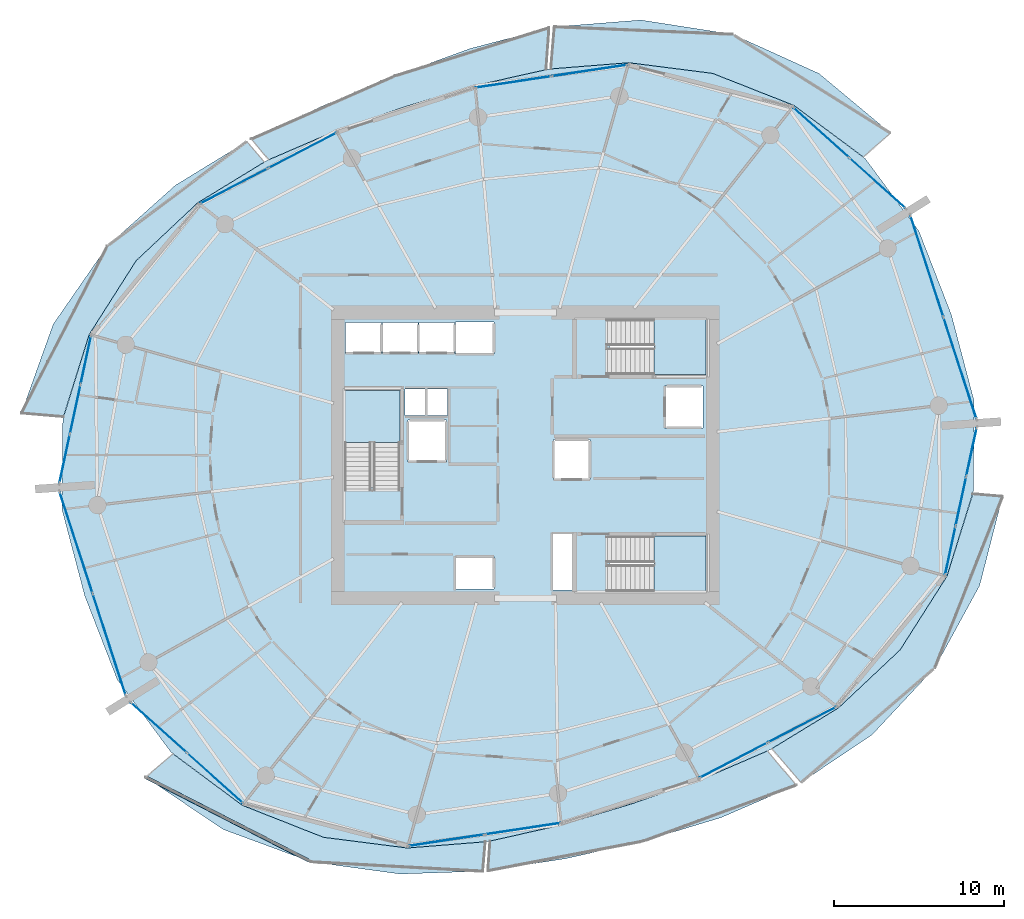
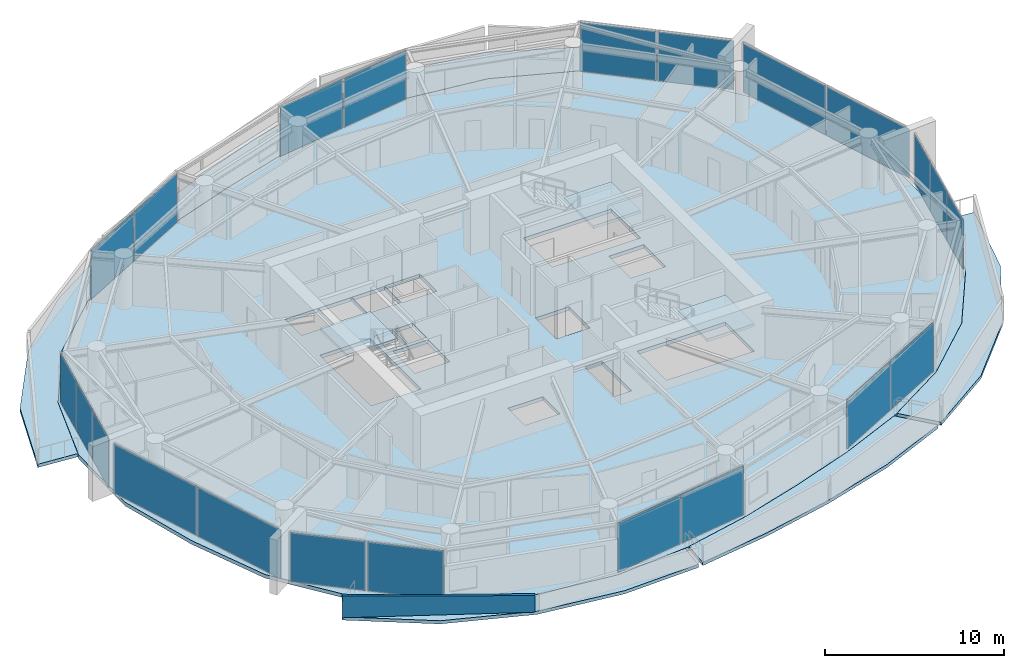
# One storey, part 10 of 20: 22 plates, 10 slabs, 1 wall, 13 elements without a shape of their own.
"""IFC4 building model written with IfcOpenShell, lengths in metres."""

from ifc_helpers import new_model, si_unit, direction, frame, origin, origin_2d, place, context, subcontext, project, spatial, polyline, rectangle, outline, extrude, material, layer, layer_set, type_object, element, aggregate, save


model = new_model("IFC4")

# Units and contexts
model_context = context("Model", 3, precision=1e-05, world=origin(), true_north=direction((0.0, 1.0)))
body_context = subcontext(model_context, "Body", "Model", "MODEL_VIEW")
ifc_project = project(units=[si_unit("LENGTHUNIT", "METRE"), si_unit("AREAUNIT", "SQUARE_METRE"), si_unit("VOLUMEUNIT", "CUBIC_METRE"), si_unit("PLANEANGLEUNIT", "RADIAN"), si_unit("MASSUNIT", "GRAM", prefix="KILO")], contexts=[model_context])

# Site, building, storey
site_placement = place(None, origin())
site = spatial("IfcSite", under=ifc_project, at=site_placement, CompositionType="ELEMENT")
building_placement = place(site_placement, origin())
building = spatial("IfcBuilding", under=site, at=building_placement, Name="Kazma Halo Residences", CompositionType="ELEMENT")
storey_placement = place(building_placement, frame((0.0, 0.0, 131.550048828125)))
storey = spatial("IfcBuildingStorey", under=building, at=storey_placement, Name="L32", CompositionType="ELEMENT", Elevation=131.550048828125)

# Curtain wall, plates
ifc_material_1 = material(Name="Aluminium AW-6063 T6 and Triple-Silver Low-E Glass", Category="aluminium")
ifc_layer_1 = layer(ifc_material_1, 0.219970703125)
ifc_layer_set_1 = layer_set([ifc_layer_1], Name="Aluminium AW-6063 T6 and Triple-Silver Low-E Glass")
curtain_wall_type = type_object("IfcCurtainWallType", Name="CW-SYS-4", PredefinedType="NOTDEFINED", material=ifc_layer_set_1)
curtain_wall_1_placement = place(storey_placement, origin())
curtain_wall_1 = element("IfcCurtainWall", 1, at=curtain_wall_1_placement, inside=storey, type_object=curtain_wall_type, Name="L32 unitised curtain wall B01", PredefinedType="NOTDEFINED")
ifc_material_2 = material(Name="Clear Triple-Silver Low-E Glass IGU", Category="glass")
ifc_layer_2 = layer(ifc_material_2, 0.033935546875)
ifc_layer_set_2 = layer_set([ifc_layer_2], Name="Clear Triple-Silver Low-E Glass IGU")
plate_type = type_object("IfcPlateType", Name="CW-SYS-4-PNL", PredefinedType="CURTAIN_PANEL", material=ifc_layer_set_2)
plate_1_placement = place(storey_placement, frame((69.126708984375, 58.008056640625, 0.074951171875), z_axis=(0.0, 0.0, 1.0), x_axis=(-0.744367582957, 0.667770096247, 0.0)))
plate_1 = element("IfcPlate", 2, at=plate_1_placement, type_object=plate_type, Name="CWS-4 panel 1.1", PredefinedType="CURTAIN_PANEL", context=body_context, shape_type="SweptSolid", body=[
    extrude(rectangle(XDim=4.36279296875, YDim=0.033935546875, at=origin_2d()), origin(), (0.0, 0.0, 1.0), 3.35009765625),
])
plate_2_placement = place(storey_placement, frame((65.823486328125, 60.971435546875, 0.074951171875), z_axis=(0.0, 0.0, 1.0), x_axis=(-0.744367582957, 0.667770096247, 0.0)))
plate_2 = element("IfcPlate", 3, at=plate_2_placement, type_object=plate_type, Name="CWS-4 panel 2.1", PredefinedType="CURTAIN_PANEL", context=body_context, shape_type="SweptSolid", body=[
    extrude(rectangle(XDim=4.36279296875, YDim=0.033935546875, at=origin_2d()), origin(), (0.0, 0.0, 1.0), 3.35009765625),
])
aggregate(curtain_wall_1, [plate_1, plate_2])

curtain_wall_2_placement = place(storey_placement, origin())
curtain_wall_2 = element("IfcCurtainWall", 4, at=curtain_wall_2_placement, inside=storey, type_object=curtain_wall_type, Name="L32 unitised curtain wall B03", PredefinedType="NOTDEFINED")
plate_3_placement = place(storey_placement, frame((52.200439453125, 64.625732421875, 0.074951171875), z_axis=(0.0, 0.0, 1.0), x_axis=(-0.988864148004, -0.148821022686, 0.0)))
plate_3 = element("IfcPlate", 5, at=plate_3_placement, type_object=plate_type, Name="CWS-4 panel 1.1", PredefinedType="CURTAIN_PANEL", context=body_context, shape_type="SweptSolid", body=[
    extrude(rectangle(XDim=4.4560546875, YDim=0.033935546875, at=origin_2d()), origin(), (0.0, 0.0, 1.0), 3.35009765625),
])
plate_4_placement = place(storey_placement, frame((47.7197265625, 63.951416015625, 0.074951171875), z_axis=(0.0, 0.0, 1.0), x_axis=(-0.988864148004, -0.148821022686, 0.0)))
plate_4 = element("IfcPlate", 6, at=plate_4_placement, type_object=plate_type, Name="CWS-4 panel 2.1", PredefinedType="CURTAIN_PANEL", context=body_context, shape_type="SweptSolid", body=[
    extrude(rectangle(XDim=4.4560546875, YDim=0.033935546875, at=origin_2d()), origin(), (0.0, 0.0, 1.0), 3.35009765625),
])
aggregate(curtain_wall_2, [plate_3, plate_4])

curtain_wall_3_placement = place(storey_placement, origin())
curtain_wall_3 = element("IfcCurtainWall", 7, at=curtain_wall_3_placement, inside=storey, type_object=curtain_wall_type, Name="L32 unitised curtain wall B05", PredefinedType="NOTDEFINED")
plate_5_placement = place(storey_placement, frame((35.323974609375, 59.923828125, 0.074951171875), z_axis=(0.0, 0.0, 1.0), x_axis=(-0.887484542306, -0.460837484552, 0.0)))
plate_5 = element("IfcPlate", 8, at=plate_5_placement, type_object=plate_type, Name="CWS-4 panel 1.1", PredefinedType="CURTAIN_PANEL", context=body_context, shape_type="SweptSolid", body=[
    extrude(rectangle(XDim=4.4560546875, YDim=0.033935546875, at=origin_2d()), origin(), (0.0, 0.0, 1.0), 3.35009765625),
])
plate_6_placement = place(storey_placement, frame((31.302734375, 57.835693359375, 0.074951171875), z_axis=(0.0, 0.0, 1.0), x_axis=(-0.887484542306, -0.460837484552, 0.0)))
plate_6 = element("IfcPlate", 9, at=plate_6_placement, type_object=plate_type, Name="CWS-4 panel 2.1", PredefinedType="CURTAIN_PANEL", context=body_context, shape_type="SweptSolid", body=[
    extrude(rectangle(XDim=4.4560546875, YDim=0.033935546875, at=origin_2d()), origin(), (0.0, 0.0, 1.0), 3.35009765625),
])
aggregate(curtain_wall_3, [plate_5, plate_6])

curtain_wall_4_placement = place(storey_placement, origin())
curtain_wall_4 = element("IfcCurtainWall", 10, at=curtain_wall_4_placement, inside=storey, type_object=curtain_wall_type, Name="L32 unitised curtain wall B07", PredefinedType="NOTDEFINED")
plate_7_placement = place(storey_placement, frame((22.5859375, 47.601318359375, 0.074951171875), z_axis=(0.0, 0.0, 1.0), x_axis=(-0.209703809037, -0.977764957684, 0.0)))
plate_7 = element("IfcPlate", 11, at=plate_7_placement, type_object=plate_type, Name="CWS-4 panel 1.1", PredefinedType="CURTAIN_PANEL", context=body_context, shape_type="SweptSolid", body=[
    extrude(rectangle(XDim=2.87109375, YDim=0.033935546875, at=origin_2d()), origin(), (0.0, 0.0, 1.0), 3.35009765625),
])
plate_8_placement = place(storey_placement, frame((21.964111328125, 44.702392578125, 0.074951171875), z_axis=(0.0, 0.0, 1.0), x_axis=(-0.209703809037, -0.977764957684, 0.0)))
plate_8 = element("IfcPlate", 12, at=plate_8_placement, type_object=plate_type, Name="CWS-4 panel 2.1", PredefinedType="CURTAIN_PANEL", context=body_context, shape_type="SweptSolid", body=[
    extrude(rectangle(XDim=2.90869140625, YDim=0.033935546875, at=origin_2d()), origin(), (0.0, 0.0, 1.0), 3.35009765625),
])
plate_9_placement = place(storey_placement, frame((21.34228515625, 41.803466796875, 0.074951171875), z_axis=(0.0, 0.0, 1.0), x_axis=(-0.209703809037, -0.977764957684, 0.0)))
plate_9 = element("IfcPlate", 13, at=plate_9_placement, type_object=plate_type, Name="CWS-4 panel 3.1", PredefinedType="CURTAIN_PANEL", context=body_context, shape_type="SweptSolid", body=[
    extrude(rectangle(XDim=2.87109375, YDim=0.033935546875, at=origin_2d()), origin(), (0.0, 0.0, 1.0), 3.35009765625),
])
aggregate(curtain_wall_4, [plate_7, plate_8, plate_9])

curtain_wall_5_placement = place(storey_placement, origin())
curtain_wall_5 = element("IfcCurtainWall", 14, at=curtain_wall_5_placement, inside=storey, type_object=curtain_wall_type, Name="L32 unitised curtain wall B08", PredefinedType="NOTDEFINED")
plate_10_placement = place(storey_placement, frame((22.017578125, 36.869873046875, 0.074951171875), z_axis=(0.0, 0.0, 1.0), x_axis=(0.3090138203, -0.951057547609, 0.0)))
plate_10 = element("IfcPlate", 15, at=plate_10_placement, type_object=plate_type, Name="CWS-4 panel 1.1", PredefinedType="CURTAIN_PANEL", context=body_context, shape_type="SweptSolid", body=[
    extrude(rectangle(XDim=6.224853515625, YDim=0.033935546875, at=origin_2d()), origin(), (0.0, 0.0, 1.0), 3.35009765625),
])
plate_11_placement = place(storey_placement, frame((23.96435546875, 30.878173828125, 0.074951171875), z_axis=(0.0, 0.0, 1.0), x_axis=(0.3090138203, -0.951057547609, 0.0)))
plate_11 = element("IfcPlate", 16, at=plate_11_placement, type_object=plate_type, Name="CWS-4 panel 2.1", PredefinedType="CURTAIN_PANEL", context=body_context, shape_type="SweptSolid", body=[
    extrude(rectangle(XDim=6.224853515625, YDim=0.033935546875, at=origin_2d()), origin(), (0.0, 0.0, 1.0), 3.35009765625),
])
aggregate(curtain_wall_5, [plate_10, plate_11])

curtain_wall_6_placement = place(storey_placement, origin())
curtain_wall_6 = element("IfcCurtainWall", 17, at=curtain_wall_6_placement, inside=storey, type_object=curtain_wall_type, Name="L32 unitised curtain wall B09", PredefinedType="NOTDEFINED")
plate_12_placement = place(storey_placement, frame((26.873291015625, 25.991943359375, 0.074951171875), z_axis=(0.0, 0.0, 1.0), x_axis=(0.744367582957, -0.667770096247, 0.0)))
plate_12 = element("IfcPlate", 18, at=plate_12_placement, type_object=plate_type, Name="CWS-4 panel 1.1", PredefinedType="CURTAIN_PANEL", context=body_context, shape_type="SweptSolid", body=[
    extrude(rectangle(XDim=4.36279296875, YDim=0.033935546875, at=origin_2d()), origin(), (0.0, 0.0, 1.0), 3.35009765625),
])
plate_13_placement = place(storey_placement, frame((30.176513671875, 23.028564453125, 0.074951171875), z_axis=(0.0, 0.0, 1.0), x_axis=(0.744367582957, -0.667770096247, 0.0)))
plate_13 = element("IfcPlate", 19, at=plate_13_placement, type_object=plate_type, Name="CWS-4 panel 2.1", PredefinedType="CURTAIN_PANEL", context=body_context, shape_type="SweptSolid", body=[
    extrude(rectangle(XDim=4.36279296875, YDim=0.033935546875, at=origin_2d()), origin(), (0.0, 0.0, 1.0), 3.35009765625),
])
aggregate(curtain_wall_6, [plate_12, plate_13])

curtain_wall_7_placement = place(storey_placement, origin())
curtain_wall_7 = element("IfcCurtainWall", 20, at=curtain_wall_7_placement, inside=storey, type_object=curtain_wall_type, Name="L32 unitised curtain wall B11", PredefinedType="NOTDEFINED")
plate_14_placement = place(storey_placement, frame((43.799560546875, 19.374267578125, 0.074951171875), z_axis=(0.0, 0.0, 1.0), x_axis=(0.988864148004, 0.148821022686, 0.0)))
plate_14 = element("IfcPlate", 21, at=plate_14_placement, type_object=plate_type, Name="CWS-4 panel 1.1", PredefinedType="CURTAIN_PANEL", context=body_context, shape_type="SweptSolid", body=[
    extrude(rectangle(XDim=4.4560546875, YDim=0.033935546875, at=origin_2d()), origin(), (0.0, 0.0, 1.0), 3.35009765625),
])
plate_15_placement = place(storey_placement, frame((48.2802734375, 20.048583984375, 0.074951171875), z_axis=(0.0, 0.0, 1.0), x_axis=(0.988864148004, 0.148821022686, 0.0)))
plate_15 = element("IfcPlate", 22, at=plate_15_placement, type_object=plate_type, Name="CWS-4 panel 2.1", PredefinedType="CURTAIN_PANEL", context=body_context, shape_type="SweptSolid", body=[
    extrude(rectangle(XDim=4.4560546875, YDim=0.033935546875, at=origin_2d()), origin(), (0.0, 0.0, 1.0), 3.35009765625),
])
aggregate(curtain_wall_7, [plate_14, plate_15])

curtain_wall_8_placement = place(storey_placement, origin())
curtain_wall_8 = element("IfcCurtainWall", 23, at=curtain_wall_8_placement, inside=storey, type_object=curtain_wall_type, Name="L32 unitised curtain wall B13", PredefinedType="NOTDEFINED")
plate_16_placement = place(storey_placement, frame((60.676025390625, 24.076171875, 0.074951171875), z_axis=(0.0, 0.0, 1.0), x_axis=(0.887484542306, 0.460837484552, 0.0)))
plate_16 = element("IfcPlate", 24, at=plate_16_placement, type_object=plate_type, Name="CWS-4 panel 1.1", PredefinedType="CURTAIN_PANEL", context=body_context, shape_type="SweptSolid", body=[
    extrude(rectangle(XDim=4.4560546875, YDim=0.033935546875, at=origin_2d()), origin(), (0.0, 0.0, 1.0), 3.35009765625),
])
plate_17_placement = place(storey_placement, frame((64.697265625, 26.164306640625, 0.074951171875), z_axis=(0.0, 0.0, 1.0), x_axis=(0.887484542306, 0.460837484552, 0.0)))
plate_17 = element("IfcPlate", 25, at=plate_17_placement, type_object=plate_type, Name="CWS-4 panel 2.1", PredefinedType="CURTAIN_PANEL", context=body_context, shape_type="SweptSolid", body=[
    extrude(rectangle(XDim=4.4560546875, YDim=0.033935546875, at=origin_2d()), origin(), (0.0, 0.0, 1.0), 3.35009765625),
])
aggregate(curtain_wall_8, [plate_16, plate_17])

curtain_wall_9_placement = place(storey_placement, origin())
curtain_wall_9 = element("IfcCurtainWall", 26, at=curtain_wall_9_placement, inside=storey, type_object=curtain_wall_type, Name="L32 unitised curtain wall B15", PredefinedType="NOTDEFINED")
plate_18_placement = place(storey_placement, frame((73.4140625, 36.398681640625, 0.074951171875), z_axis=(0.0, 0.0, 1.0), x_axis=(0.209703809037, 0.977764957684, 0.0)))
plate_18 = element("IfcPlate", 27, at=plate_18_placement, type_object=plate_type, Name="CWS-4 panel 1.1", PredefinedType="CURTAIN_PANEL", context=body_context, shape_type="SweptSolid", body=[
    extrude(rectangle(XDim=2.87109375, YDim=0.033935546875, at=origin_2d()), origin(), (0.0, 0.0, 1.0), 3.35009765625),
])
plate_19_placement = place(storey_placement, frame((74.035888671875, 39.297607421875, 0.074951171875), z_axis=(0.0, 0.0, 1.0), x_axis=(0.209703809037, 0.977764957684, 0.0)))
plate_19 = element("IfcPlate", 28, at=plate_19_placement, type_object=plate_type, Name="CWS-4 panel 2.1", PredefinedType="CURTAIN_PANEL", context=body_context, shape_type="SweptSolid", body=[
    extrude(rectangle(XDim=2.90869140625, YDim=0.033935546875, at=origin_2d()), origin(), (0.0, 0.0, 1.0), 3.35009765625),
])
plate_20_placement = place(storey_placement, frame((74.65771484375, 42.196533203125, 0.074951171875), z_axis=(0.0, 0.0, 1.0), x_axis=(0.209703809037, 0.977764957684, 0.0)))
plate_20 = element("IfcPlate", 29, at=plate_20_placement, type_object=plate_type, Name="CWS-4 panel 3.1", PredefinedType="CURTAIN_PANEL", context=body_context, shape_type="SweptSolid", body=[
    extrude(rectangle(XDim=2.87109375, YDim=0.033935546875, at=origin_2d()), origin(), (0.0, 0.0, 1.0), 3.35009765625),
])
aggregate(curtain_wall_9, [plate_18, plate_19, plate_20])

curtain_wall_10_placement = place(storey_placement, origin())
curtain_wall_10 = element("IfcCurtainWall", 30, at=curtain_wall_10_placement, inside=storey, type_object=curtain_wall_type, Name="L32 unitised curtain wall B16", PredefinedType="NOTDEFINED")
plate_21_placement = place(storey_placement, frame((73.982421875, 47.130126953125, 0.074951171875), z_axis=(0.0, 0.0, 1.0), x_axis=(-0.3090138203, 0.951057547609, 0.0)))
plate_21 = element("IfcPlate", 31, at=plate_21_placement, type_object=plate_type, Name="CWS-4 panel 1.1", PredefinedType="CURTAIN_PANEL", context=body_context, shape_type="SweptSolid", body=[
    extrude(rectangle(XDim=6.224853515625, YDim=0.033935546875, at=origin_2d()), origin(), (0.0, 0.0, 1.0), 3.35009765625),
])
plate_22_placement = place(storey_placement, frame((72.03564453125, 53.121826171875, 0.074951171875), z_axis=(0.0, 0.0, 1.0), x_axis=(-0.3090138203, 0.951057547609, 0.0)))
plate_22 = element("IfcPlate", 32, at=plate_22_placement, type_object=plate_type, Name="CWS-4 panel 2.1", PredefinedType="CURTAIN_PANEL", context=body_context, shape_type="SweptSolid", body=[
    extrude(rectangle(XDim=6.224853515625, YDim=0.033935546875, at=origin_2d()), origin(), (0.0, 0.0, 1.0), 3.35009765625),
])
aggregate(curtain_wall_10, [plate_21, plate_22])

# Slabs
ifc_material_3 = material(Name="White Concrete C50/60", Category="concrete")
ifc_layer_3 = layer(ifc_material_3, 0.219970703125)
ifc_layer_set_3 = layer_set([ifc_layer_3], Name="White Concrete C50/60")
slab_type_1 = type_object("IfcSlabType", Name="SLB-BAL-WAVE-210", PredefinedType="FLOOR", material=ifc_layer_set_3)
slab_1_placement = place(storey_placement, frame((0.0, 0.0, -0.219970703125)))
element("IfcSlab", 33, at=slab_1_placement, inside=storey, type_object=slab_type_1, Name="L32 NE cantilevered wave balcony slab", PredefinedType="FLOOR", context=body_context, shape_type="SweptSolid", body=[
    extrude(outline(polyline([(68.294677734375, 59.548583984375), (64.21923828125, 62.573974609375), (59.442626953125, 64.45751953125), (54.510986328125, 65.0859375), (49.927978515625, 64.720458984375), (50.1376953125, 67.19482421875), (55.21875, 67.595947265625), (60.61328125, 66.7548828125), (65.697021484375, 64.448486328125), (69.904052734375, 60.9404296875), (68.294677734375, 59.548583984375)])), origin(), (0.0, 0.0, 1.0), 0.219970703125),
])
slab_2_placement = place(storey_placement, frame((0.0, 0.0, -0.219970703125)))
element("IfcSlab", 34, at=slab_2_placement, inside=storey, type_object=slab_type_1, Name="L32 NNW cantilevered wave balcony slab", PredefinedType="FLOOR", context=body_context, shape_type="SweptSolid", body=[
    extrude(outline(polyline([(49.6455078125, 64.67822265625), (45.427978515625, 63.72998046875), (41.3408203125, 62.494873046875), (37.30810546875, 61.091552734375), (33.3388671875, 59.3798828125), (32.317138671875, 60.591064453125), (36.494384765625, 62.544921875), (40.75390625, 64.30078125), (45.169677734375, 65.9140625), (49.823974609375, 67.13720703125), (49.6455078125, 64.67822265625)])), origin(), (0.0, 0.0, 1.0), 0.219970703125),
])
slab_3_placement = place(storey_placement, frame((0.0, 0.0, -0.219970703125)))
element("IfcSlab", 35, at=slab_3_placement, inside=storey, type_object=slab_type_1, Name="L32 NW cantilevered wave balcony slab", PredefinedType="FLOOR", context=body_context, shape_type="SweptSolid", body=[
    extrude(outline(polyline([(33.08544921875, 59.248046875), (29.1630859375, 56.849853515625), (25.54248046875, 53.442626953125), (22.78515625, 49.111328125), (21.2666015625, 44.268310546875), (18.79638671875, 44.47802734375), (20.668212890625, 49.708251953125), (23.8505859375, 54.3046875), (27.85498046875, 57.881103515625), (32.04638671875, 60.449951171875), (33.08544921875, 59.248046875)])), origin(), (0.0, 0.0, 1.0), 0.219970703125),
])
slab_4_placement = place(storey_placement, frame((0.0, 0.0, -0.219970703125)))
element("IfcSlab", 36, at=slab_4_placement, inside=storey, type_object=slab_type_1, Name="L32 SW cantilevered wave balcony slab", PredefinedType="FLOOR", context=body_context, shape_type="SweptSolid", body=[
    extrude(outline(polyline([(27.705322265625, 24.451416015625), (31.78076171875, 21.426025390625), (36.557373046875, 19.54248046875), (41.489013671875, 18.9140625), (46.072021484375, 19.279541015625), (45.925537109375, 17.55126953125), (41.05810546875, 17.3857421875), (35.822998046875, 18.101318359375), (30.66064453125, 20.005126953125), (26.1103515625, 23.072021484375), (27.705322265625, 24.451416015625)])), origin(), (0.0, 0.0, 1.0), 0.219970703125),
])
slab_5_placement = place(storey_placement, frame((0.0, 0.0, -0.219970703125)))
element("IfcSlab", 37, at=slab_5_placement, inside=storey, type_object=slab_type_1, Name="L32 SSE cantilevered wave balcony slab", PredefinedType="FLOOR", context=body_context, shape_type="SweptSolid", body=[
    extrude(outline(polyline([(46.3544921875, 19.32177734375), (50.572021484375, 20.27001953125), (54.6591796875, 21.505126953125), (58.69189453125, 22.908447265625), (62.6611328125, 24.6201171875), (64.353271484375, 22.6142578125), (59.92822265625, 20.70068359375), (55.368896484375, 19.320556640625), (50.806640625, 18.287353515625), (46.228271484375, 17.582763671875), (46.3544921875, 19.32177734375)])), origin(), (0.0, 0.0, 1.0), 0.219970703125),
])
slab_6_placement = place(storey_placement, frame((0.0, 0.0, -0.219970703125)))
element("IfcSlab", 38, at=slab_6_placement, inside=storey, type_object=slab_type_1, Name="L32 SE cantilevered wave balcony slab", PredefinedType="FLOOR", context=body_context, shape_type="SweptSolid", body=[
    extrude(outline(polyline([(62.91455078125, 24.751953125), (66.8369140625, 27.150146484375), (70.45751953125, 30.557373046875), (73.21484375, 34.888671875), (74.7333984375, 39.731689453125), (76.484619140625, 39.5830078125), (75.136474609375, 34.3466796875), (72.50390625, 29.5146484375), (68.82421875, 25.58349609375), (64.6337890625, 22.763427734375), (62.91455078125, 24.751953125)])), origin(), (0.0, 0.0, 1.0), 0.219970703125),
])
ifc_material_4 = material(Name="Concrete C50/60", Category="concrete")
ifc_layer_4 = layer(ifc_material_4, 0.25)
ifc_layer_set_4 = layer_set([ifc_layer_4], Name="Concrete C50/60")
slab_type_2 = type_object("IfcSlabType", Name="SLB-RES-250", PredefinedType="FLOOR", material=ifc_layer_set_4)
slab_7_placement = place(storey_placement, frame((0.0, 0.0, -0.25)))
element("IfcSlab", 39, at=slab_7_placement, inside=storey, type_object=slab_type_2, Name="L32 structural floor slab", PredefinedType="FLOOR", context=body_context, shape_type="SweptSolid", body=[
    extrude(outline(polyline([(73.47265625, 50.276611328125), (71.56201171875, 55.1953125), (68.41796875, 59.438720703125), (64.218017578125, 62.572509765625), (59.441650390625, 64.45556640625), (54.510498046875, 65.083984375), (49.787109375, 64.706298828125), (45.42822265625, 63.727783203125), (41.341552734375, 62.492919921875), (37.30908203125, 61.08984375), (33.2080078125, 59.3193359375), (29.16455078125, 56.8486328125), (25.54443359375, 53.441650390625), (22.787109375, 49.110595703125), (21.2314453125, 44.106689453125), (21.181884765625, 38.825927734375), (22.52734375, 33.723388671875), (24.43798828125, 28.8046875), (27.58203125, 24.561279296875), (31.781982421875, 21.427490234375), (36.558349609375, 19.54443359375), (41.489501953125, 18.916015625), (46.212890625, 19.293701171875), (50.57177734375, 20.272216796875), (54.658447265625, 21.507080078125), (58.69091796875, 22.91015625), (62.7919921875, 24.6806640625), (66.83544921875, 27.1513671875), (70.45556640625, 30.558349609375), (73.212890625, 34.889404296875), (74.7685546875, 39.893310546875), (74.818115234375, 45.174072265625), (73.47265625, 50.276611328125)]), holes=[polyline([(37.800048828125, 40.110107421875), (41.050048828125, 40.110107421875), (41.050048828125, 45.800048828125), (37.800048828125, 45.800048828125), (37.800048828125, 40.110107421875)]), polyline([(53.360107421875, 46.75), (59.050048828125, 46.75), (59.050048828125, 50.0), (53.360107421875, 50.0), (53.360107421875, 46.75)]), polyline([(53.360107421875, 34.0), (59.050048828125, 34.0), (59.050048828125, 37.25), (53.360107421875, 37.25), (53.360107421875, 34.0)]), polyline([(41.52001953125, 41.6201171875), (43.780029296875, 41.6201171875), (43.780029296875, 44.080078125), (41.52001953125, 44.080078125), (41.52001953125, 41.6201171875)]), polyline([(56.6201171875, 43.6201171875), (58.8798828125, 43.6201171875), (58.8798828125, 46.080078125), (56.6201171875, 46.080078125), (56.6201171875, 43.6201171875)]), polyline([(37.864990234375, 47.9951171875), (39.97509765625, 47.9951171875), (39.97509765625, 49.804931640625), (37.864990234375, 49.804931640625), (37.864990234375, 47.9951171875)]), polyline([(40.014892578125, 47.9951171875), (42.125, 47.9951171875), (42.125, 49.804931640625), (40.014892578125, 49.804931640625), (40.014892578125, 47.9951171875)]), polyline([(42.1650390625, 47.9951171875), (44.27490234375, 47.9951171875), (44.27490234375, 49.804931640625), (42.1650390625, 49.804931640625), (42.1650390625, 47.9951171875)]), polyline([(44.320068359375, 47.945068359375), (46.580078125, 47.945068359375), (46.580078125, 49.85498046875), (44.320068359375, 49.85498046875), (44.320068359375, 47.945068359375)]), polyline([(44.320068359375, 34.14501953125), (46.580078125, 34.14501953125), (46.580078125, 36.054931640625), (44.320068359375, 36.054931640625), (44.320068359375, 34.14501953125)]), polyline([(50.070068359375, 40.570068359375), (52.22998046875, 40.570068359375), (52.22998046875, 42.929931640625), (50.070068359375, 42.929931640625), (50.070068359375, 40.570068359375)]), polyline([(41.360107421875, 44.340087890625), (42.5400390625, 44.340087890625), (42.5400390625, 45.89990234375), (41.360107421875, 45.89990234375), (41.360107421875, 44.340087890625)]), polyline([(42.659912109375, 44.340087890625), (43.840087890625, 44.340087890625), (43.840087890625, 45.89990234375), (42.659912109375, 45.89990234375), (42.659912109375, 44.340087890625)]), polyline([(50.06005859375, 34.080078125), (51.159912109375, 34.080078125), (51.159912109375, 37.3798828125), (50.06005859375, 37.3798828125), (50.06005859375, 34.080078125)])]), origin(), (0.0, 0.0, 1.0), 0.25),
])

# Stair, slab
stair_type = type_object("IfcStairType", Name="STR-RES1", PredefinedType="HALF_TURN_STAIR", material=ifc_material_4)
stair_1_placement = place(storey_placement, origin())
stair_1 = element("IfcStair", 40, at=stair_1_placement, inside=storey, type_object=stair_type, Name="L32 Core exit stair ST-01", PredefinedType="HALF_TURN_STAIR")
ifc_layer_5 = layer(ifc_material_4, 0.199951171875)
ifc_layer_set_5 = layer_set([ifc_layer_5], Name="Concrete C50/60")
slab_type_3 = type_object("IfcSlabType", Name="SLB-STAIR-LND-200", PredefinedType="LANDING", material=ifc_layer_set_5)
slab_8_placement = place(storey_placement, frame((0.0, 0.0, 1.675048828125)))
slab_8 = element("IfcSlab", 41, at=slab_8_placement, type_object=slab_type_3, Name="ST-01 landing 1", PredefinedType="LANDING", context=body_context, shape_type="SweptSolid", body=[
    extrude(outline(polyline([(41.050048828125, 42.75), (41.050048828125, 45.800048828125), (37.800048828125, 45.800048828125), (37.800048828125, 42.75), (41.050048828125, 42.75)])), origin(), (0.0, 0.0, 1.0), 0.199951171875),
])
aggregate(stair_1, [slab_8])

stair_2_placement = place(storey_placement, origin())
stair_2 = element("IfcStair", 42, at=stair_2_placement, inside=storey, type_object=stair_type, Name="L32 Core exit stair ST-02", PredefinedType="HALF_TURN_STAIR")
slab_9_placement = place(storey_placement, frame((0.0, 0.0, 1.675048828125)))
slab_9 = element("IfcSlab", 43, at=slab_9_placement, type_object=slab_type_3, Name="ST-02 landing 1", PredefinedType="LANDING", context=body_context, shape_type="SweptSolid", body=[
    extrude(outline(polyline([(56.0, 46.75), (59.050048828125, 46.75), (59.050048828125, 50.0), (56.0, 50.0), (56.0, 46.75)])), origin(), (0.0, 0.0, 1.0), 0.199951171875),
])
aggregate(stair_2, [slab_9])

stair_3_placement = place(storey_placement, origin())
stair_3 = element("IfcStair", 44, at=stair_3_placement, inside=storey, type_object=stair_type, Name="L32 Core exit stair ST-03", PredefinedType="HALF_TURN_STAIR")
slab_10_placement = place(storey_placement, frame((0.0, 0.0, 1.675048828125)))
slab_10 = element("IfcSlab", 45, at=slab_10_placement, type_object=slab_type_3, Name="ST-03 landing 1", PredefinedType="LANDING", context=body_context, shape_type="SweptSolid", body=[
    extrude(outline(polyline([(56.0, 34.0), (59.050048828125, 34.0), (59.050048828125, 37.25), (56.0, 37.25), (56.0, 34.0)])), origin(), (0.0, 0.0, 1.0), 0.199951171875),
])
aggregate(stair_3, [slab_10])

# Wall
ifc_material_5 = material(Name="White Concrete C50/60 Balustrade", Category="concrete")
ifc_layer_6 = layer(ifc_material_5, 0.179931640625)
ifc_layer_set_6 = layer_set([ifc_layer_6], Name="White Concrete C50/60 Balustrade")
wall_type = type_object("IfcWallType", Name="WL-BAL-WAVE-180", PredefinedType="PARAPET", material=ifc_layer_set_6)
wall_placement = place(storey_placement, frame((26.1103515625, 23.072021484375, 0.0), z_axis=(0.0, 0.0, 1.0), x_axis=(0.890197806796, -0.455574214345, 0.0)))
element("IfcWall", 46, at=wall_placement, inside=storey, type_object=wall_type, Name="L32 white wave balustrade wall SW.1", PredefinedType="PARAPET", context=body_context, shape_type="SweptSolid", body=[
    extrude(outline(polyline([(0.0, 0.0), (10.790771484375, 0.0), (10.790771484375, 1.14794921875), (5.395263671875, 1.283935546875), (0.0, 1.48291015625), (0.0, 0.0)])), frame((0.0, 0.08984375, 0.0), z_axis=(0.0, -1.0, 0.0), x_axis=(1.0, 0.0, 0.0)), (0.0, 0.0, 1.0), 0.179931640625),
])

save(model, "model.ifc")
